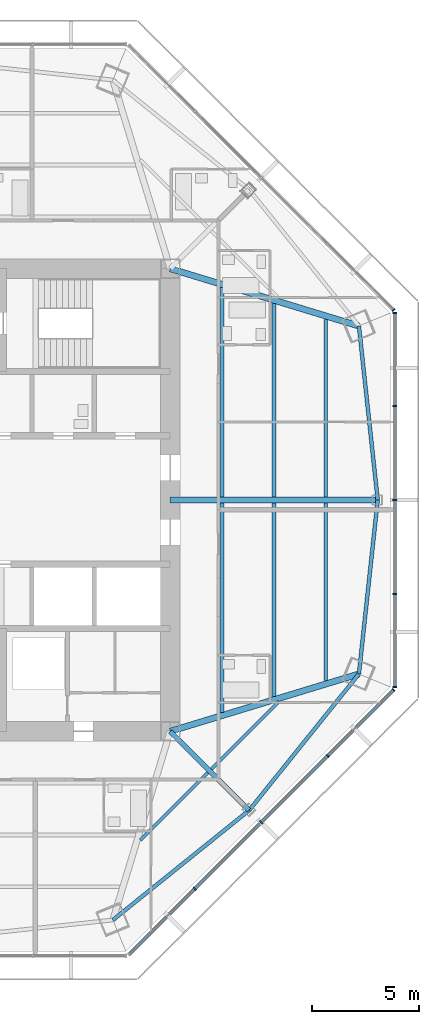
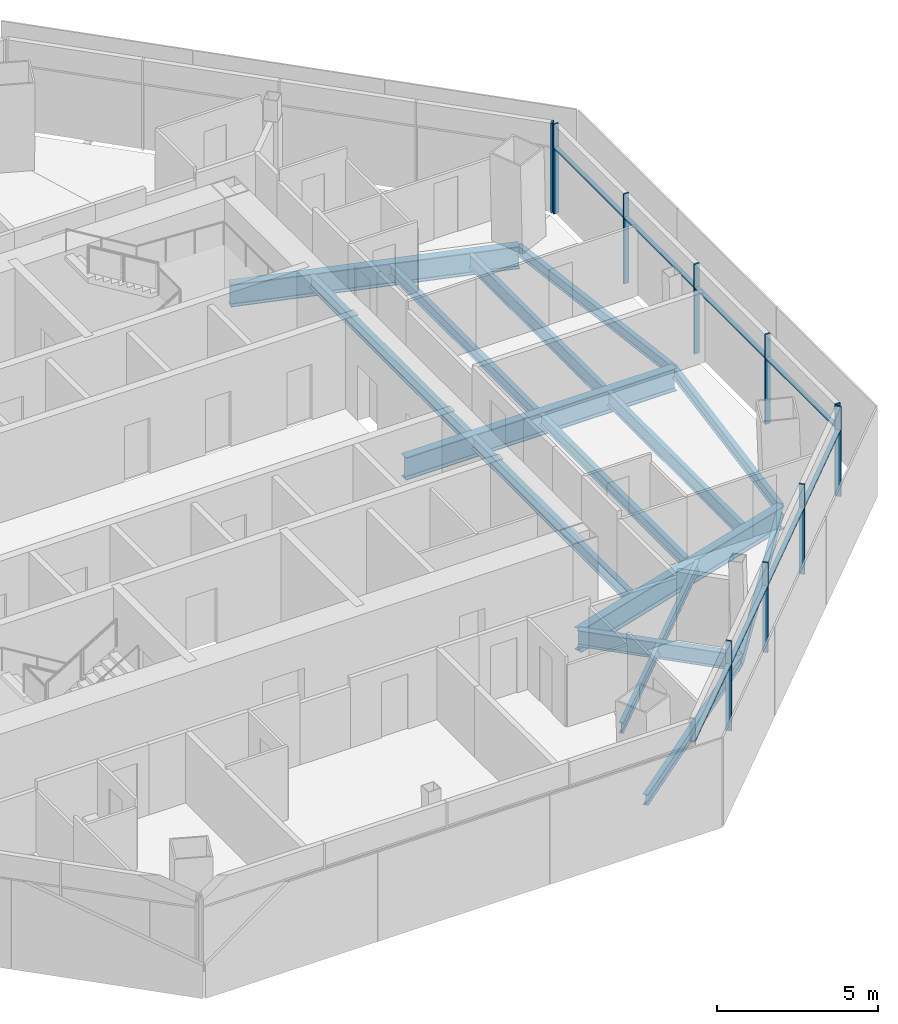
# One storey, part 4 of 14: 18 members, 16 beams, 3 elements without a shape of their own.
"""IFC4 building model written with IfcOpenShell, lengths in metres."""

from ifc_helpers import new_model, si_unit, direction, frame, origin, origin_2d, place, context, subcontext, project, spatial, rectangle, i_section, extrude, source, transform, mapped, material, material_profile, profile_set, type_object, type_shapes, element, aggregate, save


model = new_model("IFC4")

# Units and contexts
model_context = context("Model", 3, precision=1e-05, world=origin(), true_north=direction((0.0, 1.0)))
body_context = subcontext(model_context, "Body", "Model", "MODEL_VIEW")
ifc_project = project(units=[si_unit("LENGTHUNIT", "METRE"), si_unit("AREAUNIT", "SQUARE_METRE"), si_unit("VOLUMEUNIT", "CUBIC_METRE"), si_unit("PLANEANGLEUNIT", "RADIAN"), si_unit("MASSUNIT", "GRAM", prefix="KILO")], contexts=[model_context])

# Site, building, storey
site_placement = place(None, origin())
site = spatial("IfcSite", under=ifc_project, at=site_placement, CompositionType="ELEMENT")
building_placement = place(site_placement, origin())
building = spatial("IfcBuilding", under=site, at=building_placement, Name="Mashrafa Tower", CompositionType="ELEMENT")
storey_placement = place(building_placement, frame((0.0, 0.0, 238.0)))
storey = spatial("IfcBuildingStorey", under=building, at=storey_placement, Name="L56", CompositionType="ELEMENT", Elevation=238.0)

# Beams
ifc_material_1 = material(Name="Steel ASTM A992", Category="steel")
ifc_material_profile_1 = material_profile(ifc_material_1, i_section(OverallWidth=0.140380859375, OverallDepth=0.40380859375, WebThickness=0.007080078125, FlangeThickness=0.01123046875, FilletRadius=0.01025390625, at=origin_2d()), Name="W16X31")
ifc_profile_set_1 = profile_set([ifc_material_profile_1], Name="Steel ASTM A992")
beam_type_1 = type_object("IfcBeamType", Name="Beam W16X31", PredefinedType="BEAM", material=ifc_profile_set_1)
for number, where, z_axis, x_axis, name in (
    (1, (12.562744140625, -12.72412109375, -0.40185546875), (-0.707079408428, -0.707134152885, 0.0), (0.707134152885, -0.707079408428, 0.0), "Floor beam L56 024"),
    (2, (15.877685546875, -9.409423828125, -0.40185546875), (-0.707134152885, -0.707079408428, 0.0), (0.707079408428, -0.707134152885, 0.0), "Floor beam L56 030"),
):
    element("IfcBeam", number, at=place(storey_placement, frame(where, z_axis=z_axis, x_axis=x_axis)), inside=storey, type_object=beam_type_1, Name=name, PredefinedType="BEAM", context=body_context, shape_type="SweptSolid", body=[
        extrude(i_section(OverallWidth=0.140380859375, OverallDepth=0.40380859375, WebThickness=0.007080078125, FlangeThickness=0.01123046875, FilletRadius=0.01025390625, at=origin_2d()), origin(), (0.0, 0.0, 1.0), 4.459716796875),
    ])
ifc_material_2 = material(Name="Steel ASTM A992", Category="steel")
ifc_material_profile_2 = material_profile(ifc_material_2, i_section(OverallWidth=0.177734375, OverallDepth=0.406494140625, WebThickness=0.0078125, FlangeThickness=0.012939453125, FilletRadius=0.01025390625, at=origin_2d()), Name="W16X40")
ifc_profile_set_2 = profile_set([ifc_material_profile_2], Name="Steel ASTM A992")
beam_type_2 = type_object("IfcBeamType", Name="Beam W16X40", PredefinedType="BEAM", material=ifc_profile_set_2)
for number, where, z_axis, x_axis, name in (
    (3, (15.643798828125, -0.14599609375, -0.4033203125), (0.0, -1.0, 0.0), (1.0, 0.0, 0.0), "Floor beam L56 028"),
    (4, (15.643798828125, 9.17529296875, -0.4033203125), (0.0, -1.0, 0.0), (1.0, 0.0, 0.0), "Floor beam L56 029"),
):
    element("IfcBeam", number, at=place(storey_placement, frame(where, z_axis=z_axis, x_axis=x_axis)), inside=storey, type_object=beam_type_2, Name=name, PredefinedType="BEAM", context=body_context, shape_type="SweptSolid", body=[
        extrude(i_section(OverallWidth=0.177734375, OverallDepth=0.406494140625, WebThickness=0.0078125, FlangeThickness=0.012939453125, FilletRadius=0.01025390625, at=origin_2d()), origin(), (0.0, 0.0, 1.0), 9.029296875),
    ])
for number, where, z_axis, x_axis, name in (
    (5, (8.12255859375, -19.609619140625, -0.4033203125), (0.779017025318, 0.62700277054, 0.0), (-0.62700277054, 0.779017025318, 0.0), "Spandrel beam L56 058"),
    (6, (14.487060546875, -14.487060546875, -0.4033203125), (0.62700277054, 0.779017025318, 0.0), (-0.779017025318, 0.62700277054, 0.0), "Spandrel beam L56 060"),
    (7, (19.609619140625, -8.12255859375, -0.4033203125), (0.107489027835, 0.994206270799, 0.0), (-0.994206270799, 0.107489027835, 0.0), "Spandrel beam L56 062"),
    (8, (20.48779296875, 0.0, -0.4033203125), (-0.107489027835, 0.994206270799, 0.0), (-0.994206270799, -0.107489027835, 0.0), "Spandrel beam L56 064"),
):
    element("IfcBeam", number, at=place(storey_placement, frame(where, z_axis=z_axis, x_axis=x_axis)), inside=storey, type_object=beam_type_2, Name=name, PredefinedType="BEAM", context=body_context, shape_type="SweptSolid", body=[
        extrude(i_section(OverallWidth=0.177734375, OverallDepth=0.406494140625, WebThickness=0.0078125, FlangeThickness=0.012939453125, FilletRadius=0.01025390625, at=origin_2d()), origin(), (0.0, 0.0, 1.0), 8.169921875),
    ])
ifc_material_3 = material(Name="Steel ASTM A992", Category="steel")
ifc_material_profile_3 = material_profile(ifc_material_3, i_section(OverallWidth=0.191162109375, OverallDepth=0.459716796875, WebThickness=0.010009765625, FlangeThickness=0.01611328125, FilletRadius=0.01025390625, at=origin_2d()), Name="W18X55")
ifc_profile_set_3 = profile_set([ifc_material_profile_3], Name="Steel ASTM A992")
beam_type_3 = type_object("IfcBeamType", Name="Beam W18X55", PredefinedType="BEAM", material=ifc_profile_set_3)
for number, where, z_axis, x_axis, name in (
    (9, (13.221923828125, -0.14599609375, -0.429931640625), (0.0, -1.0, 0.0), (1.0, 0.0, 0.0), "Floor beam L56 026"),
    (10, (13.221923828125, 9.911376953125, -0.429931640625), (0.0, -1.0, 0.0), (1.0, 0.0, 0.0), "Floor beam L56 027"),
):
    element("IfcBeam", number, at=place(storey_placement, frame(where, z_axis=z_axis, x_axis=x_axis)), inside=storey, type_object=beam_type_3, Name=name, PredefinedType="BEAM", context=body_context, shape_type="SweptSolid", body=[
        extrude(i_section(OverallWidth=0.191162109375, OverallDepth=0.459716796875, WebThickness=0.010009765625, FlangeThickness=0.01611328125, FilletRadius=0.01025390625, at=origin_2d()), origin(), (0.0, 0.0, 1.0), 9.765380859375),
    ])
ifc_material_4 = material(Name="Steel ASTM A992", Category="steel")
ifc_material_profile_4 = material_profile(ifc_material_4, i_section(OverallWidth=0.165771484375, OverallDepth=0.5283203125, WebThickness=0.009765625, FlangeThickness=0.013671875, FilletRadius=0.012939453125, at=origin_2d()), Name="W21X50")
ifc_profile_set_4 = profile_set([ifc_material_profile_4], Name="Steel ASTM A992")
beam_type_4 = type_object("IfcBeamType", Name="Beam W21X50", PredefinedType="BEAM", material=ifc_profile_set_4)
for number, where, z_axis, x_axis, name in (
    (11, (18.06591796875, -0.14599609375, -0.464111328125), (0.0, -1.0, 0.0), (1.0, 0.0, 0.0), "Floor beam L56 031"),
    (12, (18.06591796875, 8.439208984375, -0.464111328125), (0.0, -1.0, 0.0), (1.0, 0.0, 0.0), "Floor beam L56 032"),
):
    element("IfcBeam", number, at=place(storey_placement, frame(where, z_axis=z_axis, x_axis=x_axis)), inside=storey, type_object=beam_type_4, Name=name, PredefinedType="BEAM", context=body_context, shape_type="SweptSolid", body=[
        extrude(i_section(OverallWidth=0.165771484375, OverallDepth=0.5283203125, WebThickness=0.009765625, FlangeThickness=0.013671875, FilletRadius=0.012939453125, at=origin_2d()), origin(), (0.0, 0.0, 1.0), 8.293212890625),
    ])
ifc_material_5 = material(Name="Steel ASTM A992", Category="steel")
ifc_material_profile_5 = material_profile(ifc_material_5, i_section(OverallWidth=0.228271484375, OverallDepth=0.607177734375, WebThickness=0.01123046875, FlangeThickness=0.017333984375, FilletRadius=0.0126953125, at=origin_2d()), Name="W24X76")
ifc_profile_set_5 = profile_set([ifc_material_profile_5], Name="Steel ASTM A992")
beam_type_5 = type_object("IfcBeamType", Name="Beam W24X76", PredefinedType="BEAM", material=ifc_profile_set_5)
beam_1_placement = place(storey_placement, frame((10.800048828125, -10.800048828125, -0.50341796875), z_axis=(0.707106781187, -0.707106781187, 0.0), x_axis=(0.707106781187, 0.707106781187, 0.0)))
element("IfcBeam", 13, at=beam_1_placement, inside=storey, type_object=beam_type_5, Name="Radial girder L56 043", PredefinedType="BEAM", context=body_context, shape_type="SweptSolid", body=[
    extrude(i_section(OverallWidth=0.228271484375, OverallDepth=0.607177734375, WebThickness=0.01123046875, FlangeThickness=0.017333984375, FilletRadius=0.0126953125, at=origin_2d()), origin(), (0.0, 0.0, 1.0), 5.214111328125),
])
ifc_material_6 = material(Name="Steel ASTM A992", Category="steel")
ifc_material_profile_6 = material_profile(ifc_material_6, i_section(OverallWidth=0.2919921875, OverallDepth=0.845703125, WebThickness=0.015380859375, FlangeThickness=0.0244140625, FilletRadius=0.017333984375, at=origin_2d()), Name="W33X141")
ifc_profile_set_6 = profile_set([ifc_material_profile_6], Name="Steel ASTM A992")
beam_type_6 = type_object("IfcBeamType", Name="Beam W33X141", PredefinedType="BEAM", material=ifc_profile_set_6)
for number, where, z_axis, x_axis, name in (
    (14, (10.800048828125, -10.800048828125, -0.622802734375), (0.956785239687, 0.290795469561, 0.0), (-0.290795469561, 0.956785239687, 0.0), "Radial girder L56 044"),
    (15, (10.800048828125, 10.800048828125, -0.622802734375), (0.956785239687, -0.290795469561, 0.0), (0.290795469561, 0.956785239687, 0.0), "Radial girder L56 048"),
):
    element("IfcBeam", number, at=place(storey_placement, frame(where, z_axis=z_axis, x_axis=x_axis)), inside=storey, type_object=beam_type_6, Name=name, PredefinedType="BEAM", context=body_context, shape_type="SweptSolid", body=[
        extrude(i_section(OverallWidth=0.2919921875, OverallDepth=0.845703125, WebThickness=0.015380859375, FlangeThickness=0.0244140625, FilletRadius=0.017333984375, at=origin_2d()), origin(), (0.0, 0.0, 1.0), 9.20751953125),
    ])
ifc_material_7 = material(Name="Steel ASTM A992", Category="steel")
ifc_material_profile_7 = material_profile(ifc_material_7, i_section(OverallWidth=0.2919921875, OverallDepth=0.8583984375, WebThickness=0.01708984375, FlangeThickness=0.031005859375, FilletRadius=0.017822265625, at=origin_2d()), Name="W33X169")
ifc_profile_set_7 = profile_set([ifc_material_profile_7], Name="Steel ASTM A992")
beam_type_7 = type_object("IfcBeamType", Name="Beam W33X169", PredefinedType="BEAM", material=ifc_profile_set_7)
beam_2_placement = place(storey_placement, frame((10.800048828125, 0.0, -0.629150390625), z_axis=(1.0, 0.0, 0.0), x_axis=(0.0, 1.0, 0.0)))
element("IfcBeam", 16, at=beam_2_placement, inside=storey, type_object=beam_type_7, Name="Radial girder L56 045", PredefinedType="BEAM", context=body_context, shape_type="SweptSolid", body=[
    extrude(i_section(OverallWidth=0.2919921875, OverallDepth=0.8583984375, WebThickness=0.01708984375, FlangeThickness=0.031005859375, FilletRadius=0.017822265625, at=origin_2d()), origin(), (0.0, 0.0, 1.0), 9.687744140625),
])

# Curtain wall, members
ifc_material_8 = material(Name="Unitised aluminium curtain wall", Category="aluminium")
curtain_wall_type = type_object("IfcCurtainWallType", Name="Apartment curtain wall, zone 3 CW-C 180 deep", PredefinedType="NOTDEFINED", material=ifc_material_8)
curtain_wall_1_placement = place(storey_placement, origin())
curtain_wall_1 = element("IfcCurtainWall", 17, at=curtain_wall_1_placement, inside=storey, type_object=curtain_wall_type, Name="Apartment curtain wall, zone 3 L56 east", PredefinedType="NOTDEFINED")
ifc_material_9 = material(Name="Extruded aluminium mullion", Category="aluminium")
ifc_material_profile_8 = material_profile(ifc_material_9, rectangle(XDim=0.179931640625, YDim=0.06005859375, at=origin_2d()), Name="Mullion 60x180")
ifc_profile_set_8 = profile_set([ifc_material_profile_8], Name="Extruded aluminium mullion")
member_type_1 = type_object("IfcMemberType", Name="Mullion CW-C 60 x 180", PredefinedType="MULLION", material=ifc_profile_set_8)
shared_shape_1 = source(origin(), body_context, "Body", "SweptSolid", [
    extrude(rectangle(XDim=0.179931640625, YDim=0.06005859375, at=origin_2d()), origin(), (0.0, 0.0, 1.0), 3.39990234375),
])
type_shapes(member_type_1, [shared_shape_1])
member_1_placement = place(storey_placement, frame((21.281982421875, -8.738037109375, 0.0), z_axis=(0.0, 0.0, 1.0), x_axis=(-1.0, 0.0, 0.0)))
member_1 = element("IfcMember", 18, at=member_1_placement, type_object=member_type_1, Name="CW-C mullion 1", PredefinedType="MULLION", context=body_context, shape_type="MappedRepresentation", body=[
    mapped(shared_shape_1, transform((0.0, 0.0, 0.0))),
])
member_2_placement = place(storey_placement, frame((21.281982421875, -4.384033203125, 0.0), z_axis=(0.0, 0.0, 1.0), x_axis=(-1.0, 0.0, 0.0)))
member_2 = element("IfcMember", 19, at=member_2_placement, type_object=member_type_1, Name="CW-C mullion 2", PredefinedType="MULLION", context=body_context, shape_type="MappedRepresentation", body=[
    mapped(shared_shape_1, transform((0.0, 0.0, 0.0))),
])
member_3_placement = place(storey_placement, frame((21.281982421875, 0.0, 0.0), z_axis=(0.0, 0.0, 1.0), x_axis=(-1.0, 0.0, 0.0)))
member_3 = element("IfcMember", 20, at=member_3_placement, type_object=member_type_1, Name="CW-C mullion 3", PredefinedType="MULLION", context=body_context, shape_type="MappedRepresentation", body=[
    mapped(shared_shape_1, transform((0.0, 0.0, 0.0))),
])
member_4_placement = place(storey_placement, frame((21.281982421875, 4.384033203125, 0.0), z_axis=(0.0, 0.0, 1.0), x_axis=(-1.0, 0.0, 0.0)))
member_4 = element("IfcMember", 21, at=member_4_placement, type_object=member_type_1, Name="CW-C mullion 4", PredefinedType="MULLION", context=body_context, shape_type="MappedRepresentation", body=[
    mapped(shared_shape_1, transform((0.0, 0.0, 0.0))),
])
member_5_placement = place(storey_placement, frame((21.281982421875, 8.738037109375, 0.0), z_axis=(0.0, 0.0, 1.0), x_axis=(-1.0, 0.0, 0.0)))
member_5 = element("IfcMember", 22, at=member_5_placement, type_object=member_type_1, Name="CW-C mullion 5", PredefinedType="MULLION", context=body_context, shape_type="MappedRepresentation", body=[
    mapped(shared_shape_1, transform((0.0, 0.0, 0.0))),
])

# Curtain wall, member
curtain_wall_2_placement = place(storey_placement, origin())
curtain_wall_2 = element("IfcCurtainWall", 23, at=curtain_wall_2_placement, inside=storey, type_object=curtain_wall_type, Name="Apartment curtain wall, zone 3 L56 north-east", PredefinedType="NOTDEFINED")
member_6_placement = place(storey_placement, frame((21.227294921875, 8.869873046875, 0.0), z_axis=(0.0, 0.0, 1.0), x_axis=(-0.707106781187, -0.707106781187, 0.0)))
member_6 = element("IfcMember", 24, at=member_6_placement, type_object=member_type_1, Name="CW-C mullion 1", PredefinedType="MULLION", context=body_context, shape_type="MappedRepresentation", body=[
    mapped(shared_shape_1, transform((0.0, 0.0, 0.0))),
])
aggregate(curtain_wall_2, [member_6])

# Curtain wall, members
curtain_wall_3_placement = place(storey_placement, origin())
curtain_wall_3 = element("IfcCurtainWall", 25, at=curtain_wall_3_placement, inside=storey, type_object=curtain_wall_type, Name="Apartment curtain wall, zone 3 L56 south-east", PredefinedType="NOTDEFINED")
member_7_placement = place(storey_placement, frame((11.94873046875, -18.148681640625, 0.0), z_axis=(0.0, 0.0, 1.0), x_axis=(-0.707106781187, 0.707106781187, 0.0)))
member_7 = element("IfcMember", 26, at=member_7_placement, type_object=member_type_1, Name="CW-C mullion 2", PredefinedType="MULLION", context=body_context, shape_type="MappedRepresentation", body=[
    mapped(shared_shape_1, transform((0.0, 0.0, 0.0))),
])
member_8_placement = place(storey_placement, frame((15.048583984375, -15.048583984375, 0.0), z_axis=(0.0, 0.0, 1.0), x_axis=(-0.707106781187, 0.707106781187, 0.0)))
member_8 = element("IfcMember", 27, at=member_8_placement, type_object=member_type_1, Name="CW-C mullion 3", PredefinedType="MULLION", context=body_context, shape_type="MappedRepresentation", body=[
    mapped(shared_shape_1, transform((0.0, 0.0, 0.0))),
])
member_9_placement = place(storey_placement, frame((18.148681640625, -11.94873046875, 0.0), z_axis=(0.0, 0.0, 1.0), x_axis=(-0.707106781187, 0.707106781187, 0.0)))
member_9 = element("IfcMember", 28, at=member_9_placement, type_object=member_type_1, Name="CW-C mullion 4", PredefinedType="MULLION", context=body_context, shape_type="MappedRepresentation", body=[
    mapped(shared_shape_1, transform((0.0, 0.0, 0.0))),
])
member_10_placement = place(storey_placement, frame((21.227294921875, -8.869873046875, 0.0), z_axis=(0.0, 0.0, 1.0), x_axis=(-0.707106781187, 0.707106781187, 0.0)))
member_10 = element("IfcMember", 29, at=member_10_placement, type_object=member_type_1, Name="CW-C mullion 5", PredefinedType="MULLION", context=body_context, shape_type="MappedRepresentation", body=[
    mapped(shared_shape_1, transform((0.0, 0.0, 0.0))),
])

# Member
ifc_material_10 = material(Name="Extruded aluminium transom", Category="aluminium")
ifc_material_profile_9 = material_profile(ifc_material_10, rectangle(XDim=0.14404296875, YDim=0.074951171875, at=origin_2d()), Name="Transom 75x144")
ifc_profile_set_9 = profile_set([ifc_material_profile_9], Name="Extruded aluminium transom")
member_type_2 = type_object("IfcMemberType", Name="Transom CW-C 75 x 144", PredefinedType="MULLION", material=ifc_profile_set_9)
shared_shape_2 = source(origin(), body_context, "Body", "SweptSolid", [
    extrude(rectangle(XDim=0.14404296875, YDim=0.074951171875, at=origin_2d()), origin(), (0.0, 0.0, 1.0), 4.2939453125),
])
member_11_placement = place(storey_placement, frame((21.281982421875, -8.7080078125, 2.5), z_axis=(0.0, 1.0, 0.0), x_axis=(-1.0, 0.0, 0.0)))
member_11 = element("IfcMember", 30, at=member_11_placement, type_object=member_type_2, Name="CW-C transom 1", PredefinedType="MULLION", context=body_context, shape_type="MappedRepresentation", body=[
    mapped(shared_shape_2, transform((0.0, 0.0, 0.0))),
])

member_12_placement = place(storey_placement, frame((21.281982421875, 4.4140625, 2.5), z_axis=(0.0, 1.0, 0.0), x_axis=(-1.0, 0.0, 0.0)))
member_12 = element("IfcMember", 31, at=member_12_placement, type_object=member_type_2, Name="CW-C transom 4", PredefinedType="MULLION", context=body_context, shape_type="MappedRepresentation", body=[
    mapped(shared_shape_2, transform((0.0, 0.0, 0.0))),
])

shared_shape_3 = source(origin(), body_context, "Body", "SweptSolid", [
    extrude(rectangle(XDim=0.14404296875, YDim=0.074951171875, at=origin_2d()), origin(), (0.0, 0.0, 1.0), 4.323974609375),
])
member_13_placement = place(storey_placement, frame((21.281982421875, -4.35400390625, 2.5), z_axis=(0.0, 1.0, 0.0), x_axis=(-1.0, 0.0, 0.0)))
member_13 = element("IfcMember", 32, at=member_13_placement, type_object=member_type_2, Name="CW-C transom 2", PredefinedType="MULLION", context=body_context, shape_type="MappedRepresentation", body=[
    mapped(shared_shape_3, transform((0.0, 0.0, 0.0))),
])

member_14_placement = place(storey_placement, frame((21.281982421875, 0.030029296875, 2.5), z_axis=(0.0, 1.0, 0.0), x_axis=(-1.0, 0.0, 0.0)))
member_14 = element("IfcMember", 33, at=member_14_placement, type_object=member_type_2, Name="CW-C transom 3", PredefinedType="MULLION", context=body_context, shape_type="MappedRepresentation", body=[
    mapped(shared_shape_3, transform((0.0, 0.0, 0.0))),
])

aggregate(curtain_wall_1, [member_1, member_2, member_3, member_4, member_5, member_11, member_13, member_14, member_12])

member_15_placement = place(storey_placement, frame((11.969970703125, -18.12744140625, 2.5), z_axis=(0.707078549426, 0.70713501182, 0.0), x_axis=(-0.70713501182, 0.707078549426, 0.0)))
member_15 = element("IfcMember", 34, at=member_15_placement, type_object=member_type_2, Name="CW-C transom 2", PredefinedType="MULLION", context=body_context, shape_type="MappedRepresentation", body=[
    mapped(shared_shape_3, transform((0.0, 0.0, 0.0))),
])

member_16_placement = place(storey_placement, frame((15.06982421875, -15.02734375, 2.5), z_axis=(0.70713501182, 0.707078549426, 0.0), x_axis=(-0.707078549426, 0.70713501182, 0.0)))
member_16 = element("IfcMember", 35, at=member_16_placement, type_object=member_type_2, Name="CW-C transom 3", PredefinedType="MULLION", context=body_context, shape_type="MappedRepresentation", body=[
    mapped(shared_shape_3, transform((0.0, 0.0, 0.0))),
])

shared_shape_4 = source(origin(), body_context, "Body", "SweptSolid", [
    extrude(rectangle(XDim=0.14404296875, YDim=0.074951171875, at=origin_2d()), origin(), (0.0, 0.0, 1.0), 4.294189453125),
])
type_shapes(member_type_2, [shared_shape_2, shared_shape_3, shared_shape_4])
member_17_placement = place(storey_placement, frame((8.89111328125, -21.206298828125, 2.5), z_axis=(0.707106781187, 0.707106781187, 0.0), x_axis=(-0.707106781187, 0.707106781187, 0.0)))
member_17 = element("IfcMember", 36, at=member_17_placement, type_object=member_type_2, Name="CW-C transom 1", PredefinedType="MULLION", context=body_context, shape_type="MappedRepresentation", body=[
    mapped(shared_shape_4, transform((0.0, 0.0, 0.0))),
])

member_18_placement = place(storey_placement, frame((18.169921875, -11.927490234375, 2.5), z_axis=(0.707106781187, 0.707106781187, 0.0), x_axis=(-0.707106781187, 0.707106781187, 0.0)))
member_18 = element("IfcMember", 37, at=member_18_placement, type_object=member_type_2, Name="CW-C transom 4", PredefinedType="MULLION", context=body_context, shape_type="MappedRepresentation", body=[
    mapped(shared_shape_4, transform((0.0, 0.0, 0.0))),
])

aggregate(curtain_wall_3, [member_7, member_8, member_9, member_10, member_17, member_15, member_16, member_18])

save(model, "model.ifc")
